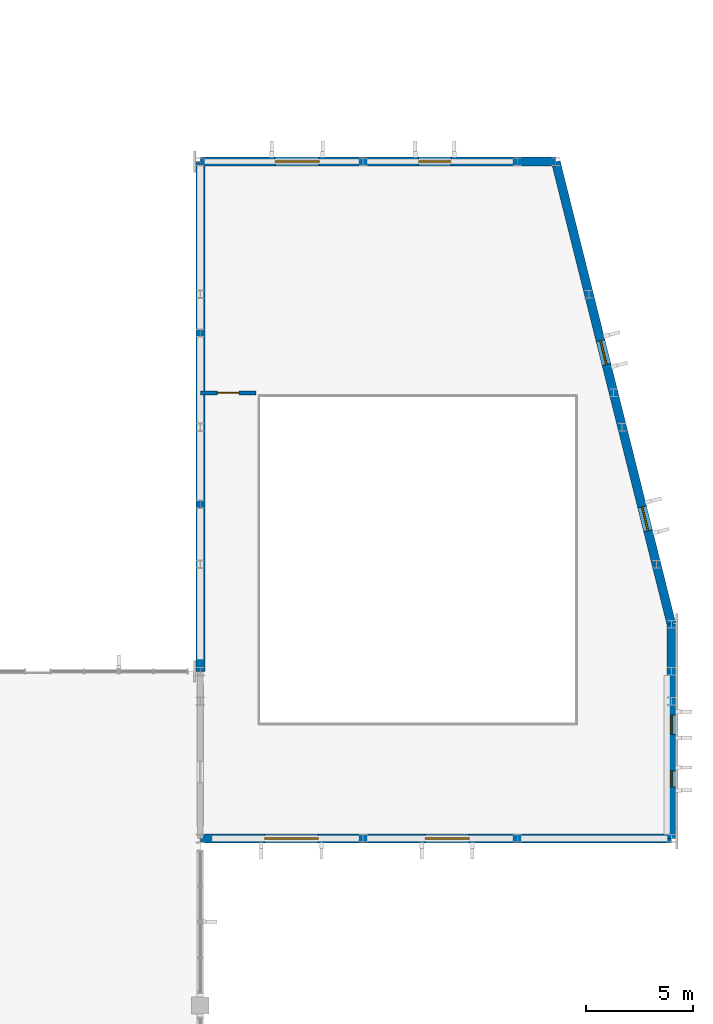
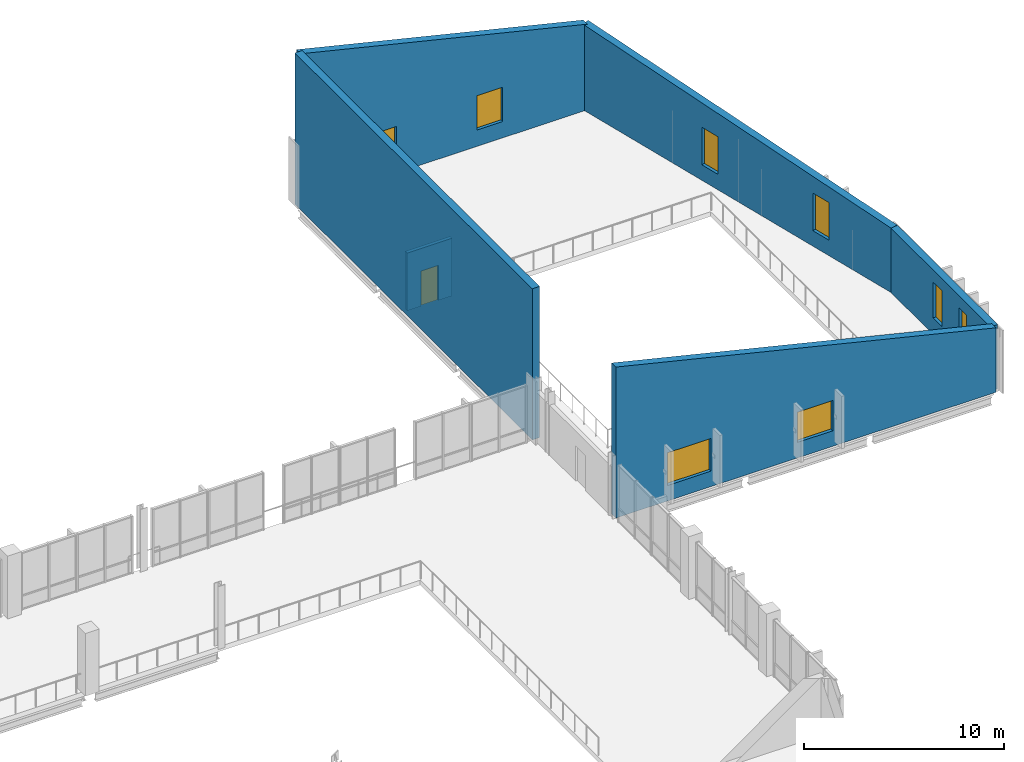
# One storey, part 46 of 64: 8 windows, 6 walls, 1 door, 9 openings.
"""IFC4 building model written with IfcOpenShell, lengths in metres."""

import ifcopenshell
import ifcopenshell.guid

model = None  # the IFC model being written
_history = None  # IfcOwnerHistory: only IFC2X3 demands one
_inside = {}  # id of a spatial element -> (the spatial element, [elements in it])
_under = {}  # id of a project, library or spatial element -> (it, [spatial elements below it])
_declared = {}  # id of a project -> (the project, [libraries it declares])
_typed = {}  # id of a type object -> (the type object, [elements of that type])
_made_of = {}  # id of a material, layer set ... -> (it, [elements and type objects made of it])


def new_model(schema):
    """Start an empty IFC model of exactly this schema.

    Asked for "IFC4X3", IfcOpenShell would pick the latest addendum, in which some entities
    have other attributes; the version numbers below select the first issue.
    IFC2X3 requires an IfcOwnerHistory on every rooted entity: one is made here for all.
    """
    global model, _history
    if schema == "IFC4X3":
        model = ifcopenshell.file(schema_version=(4, 3, 0, 0))
    else:
        model = ifcopenshell.file(schema=schema)
    _inside.clear()
    _under.clear()
    _declared.clear()
    _typed.clear()
    _made_of.clear()
    _history = None
    if model.schema == "IFC2X3":
        org = make("IfcOrganization", Name="unknown")
        user = make(
            "IfcPersonAndOrganization",
            ThePerson=make("IfcPerson", FamilyName="unknown"),
            TheOrganization=org,
        )
        app = make(
            "IfcApplication",
            ApplicationDeveloper=org,
            Version="unknown",
            ApplicationFullName="unknown",
            ApplicationIdentifier="unknown",
        )
        _history = make(
            "IfcOwnerHistory",
            OwningUser=user,
            OwningApplication=app,
            ChangeAction="ADDED",
            CreationDate=0,
        )
    return model


def make(cls, **values):
    """One entity of the class cls with the attributes given. An attribute that is None is left unset."""
    return model.create_entity(
        cls, **{name: value for name, value in values.items() if value is not None}
    )


def rooted(cls, **values):
    """An entity with a GlobalId (a new one), such as an element, a storey or a relation."""
    return make(cls, GlobalId=ifcopenshell.guid.new(), OwnerHistory=_history, **values)


def si_unit(unit_type, name, prefix=None):
    """IfcSIUnit, for example si_unit("LENGTHUNIT", "METRE", prefix="MILLI")."""
    return make("IfcSIUnit", UnitType=unit_type, Prefix=prefix, Name=name)


def assignment(units):
    """IfcUnitAssignment: the units of a project."""
    return None if units is None else make("IfcUnitAssignment", Units=units)


def point(xyz):
    """IfcCartesianPoint."""
    return None if xyz is None else make("IfcCartesianPoint", Coordinates=xyz)


def direction(xyz):
    """IfcDirection."""
    return None if xyz is None else make("IfcDirection", DirectionRatios=xyz)


def frame(location, z_axis=None, x_axis=None):
    """IfcAxis2Placement3D, a coordinate frame: its origin and axes. An axis left out is left unset."""
    return make(
        "IfcAxis2Placement3D",
        Location=point(location),
        Axis=direction(z_axis),
        RefDirection=direction(x_axis),
    )


def frame_2d(location, x_axis=None):
    """IfcAxis2Placement2D, a coordinate frame in the plane: its origin and x axis."""
    return make(
        "IfcAxis2Placement2D", Location=point(location), RefDirection=direction(x_axis)
    )


def origin():
    """The frame at (0, 0, 0) with its axes left unset."""
    return frame((0.0, 0.0, 0.0))


def place(relative_to, where):
    """IfcLocalPlacement: puts the frame where relative to a parent placement (None: the world)."""
    return make(
        "IfcLocalPlacement", PlacementRelTo=relative_to, RelativePlacement=where
    )


def context(
    kind, dimensions, precision=None, world=None, true_north=None, identifier=None
):
    """IfcGeometricRepresentationContext, for example the 3D "Model" context."""
    return make(
        "IfcGeometricRepresentationContext",
        ContextIdentifier=identifier,
        ContextType=kind,
        CoordinateSpaceDimension=dimensions,
        Precision=precision,
        WorldCoordinateSystem=world,
        TrueNorth=true_north,
    )


def subcontext(parent, identifier, kind, view, scale=None):
    """IfcGeometricRepresentationSubContext, for example "Body" below "Model"."""
    return make(
        "IfcGeometricRepresentationSubContext",
        ContextIdentifier=identifier,
        ContextType=kind,
        ParentContext=parent,
        TargetScale=scale,
        TargetView=view,
    )


def project(units=None, contexts=None):
    """IfcProject with its units and contexts."""
    return rooted(
        "IfcProject",
        Name="project",
        RepresentationContexts=contexts,
        UnitsInContext=assignment(units),
    )


def spatial(cls, under=None, at=None, **own):
    """A site, building, storey or space (cls), placed at a placement, below another one or the project."""
    s = rooted(cls, ObjectPlacement=at, **own)
    if under is not None:
        _under.setdefault(under.id(), (under, []))[1].append(s)
    return s


def polyline(points):
    """IfcPolyline through the points."""
    return make("IfcPolyline", Points=[point(p) for p in points])


def profile(cls, at=None, kind="AREA", **sizes):
    """A parametric profile (cls). Its sizes go by their IFC names, for example OverallWidth=200.0."""
    return make(cls, ProfileType=kind, Position=at, **sizes)


def rectangle(**sizes):
    """IfcRectangleProfileDef."""
    return profile("IfcRectangleProfileDef", **sizes)


def outline(outer, holes=None, kind="AREA"):
    """IfcArbitraryClosedProfileDef: a profile drawn as a closed curve; with holes, ...WithVoids."""
    if holes is None:
        return make("IfcArbitraryClosedProfileDef", ProfileType=kind, OuterCurve=outer)
    return make(
        "IfcArbitraryProfileDefWithVoids",
        ProfileType=kind,
        OuterCurve=outer,
        InnerCurves=holes,
    )


def extrude(swept, where, along, depth):
    """IfcExtrudedAreaSolid: the profile swept, set in the frame where, extruded along a direction by depth."""
    return make(
        "IfcExtrudedAreaSolid",
        SweptArea=swept,
        Position=where,
        ExtrudedDirection=direction(along),
        Depth=depth,
    )


def shape(context_of_items, identifier, shape_type, items):
    """IfcShapeRepresentation: the items that make up one representation, for example the "Body"."""
    return make(
        "IfcShapeRepresentation",
        ContextOfItems=context_of_items,
        RepresentationIdentifier=identifier,
        RepresentationType=shape_type,
        Items=items,
    )


def material(Name=None, Category=None):
    """IfcMaterial."""
    return make("IfcMaterial", Name=Name, Category=Category)


def layer(
    of_material, thickness, ventilated=None, Name=None, Category=None, Priority=None
):
    """IfcMaterialLayer: one layer of a wall or slab, of a material (None: an air gap)."""
    return make(
        "IfcMaterialLayer",
        Material=of_material,
        LayerThickness=thickness,
        IsVentilated=ventilated,
        Name=Name,
        Category=Category,
        Priority=Priority,
    )


def layer_set(layers, Name=None):
    """IfcMaterialLayerSet."""
    return make("IfcMaterialLayerSet", MaterialLayers=layers, LayerSetName=Name)


def made_of(thing, what):
    """Note that an element or type object is made of a material, layer set ...; save() writes the relation."""
    if what is not None:
        _made_of.setdefault(what.id(), (what, []))[1].append(thing)
    return thing


def type_object(cls, material=None, **own):
    """A type object (cls), such as IfcWallType, which elements share."""
    return made_of(rooted(cls, **own), material)


def element(
    cls,
    number,
    at=None,
    inside=None,
    cuts=None,
    type_object=None,
    material=None,
    context=None,
    identifier="Body",
    shape_type=None,
    held_by="IfcProductDefinitionShape",
    body=None,
    shapes=None,
    **own,
):
    """One element of the class cls, such as IfcWall. Its Tag is "e" and its number.

    at: its placement. inside: the storey or other place that contains it. cuts: it is an
    opening in that element (IfcRelVoidsElement). A single representation is given by context,
    identifier, shape_type and body (its items); several are given by shapes. held_by: the class
    of the entity that holds the representations. save() writes the other relations.
    """
    e = rooted(cls, Tag="e%d" % number, ObjectPlacement=at, **own)
    if body is not None:
        shapes = [shape(context, identifier, shape_type, body)]
    if shapes is not None:
        e.Representation = make(held_by, Representations=shapes)
    if inside is not None:
        _inside.setdefault(inside.id(), (inside, []))[1].append(e)
    if cuts is not None:
        rooted(
            "IfcRelVoidsElement", RelatingBuildingElement=cuts, RelatedOpeningElement=e
        )
    if type_object is not None:
        _typed.setdefault(type_object.id(), (type_object, []))[1].append(e)
    return made_of(e, material)


def fill(opening, filler):
    """IfcRelFillsElement: the door or window that sits in an opening."""
    return rooted(
        "IfcRelFillsElement",
        RelatingOpeningElement=opening,
        RelatedBuildingElement=filler,
    )


def aggregate(whole, parts):
    """IfcRelAggregates: a whole, such as a stair, and the parts it consists of."""
    return rooted("IfcRelAggregates", RelatingObject=whole, RelatedObjects=parts)


def save(model, path):
    """Write the relations noted so far, then the file.

    IfcRelAggregates (storeys below a building ...), IfcRelContainedInSpatialStructure (elements
    in a storey), IfcRelDefinesByType, IfcRelAssociatesMaterial and IfcRelDeclares: one each for
    every whole, place, type object, material and project.
    """
    for whole, parts in _under.values():
        aggregate(whole, parts)
    for where, things in _inside.values():
        rooted(
            "IfcRelContainedInSpatialStructure",
            RelatedElements=things,
            RelatingStructure=where,
        )
    for kind, things in _typed.values():
        rooted("IfcRelDefinesByType", RelatedObjects=things, RelatingType=kind)
    for what, things in _made_of.values():
        rooted("IfcRelAssociatesMaterial", RelatedObjects=things, RelatingMaterial=what)
    for by, libraries in _declared.values():
        rooted("IfcRelDeclares", RelatingContext=by, RelatedDefinitions=libraries)
    model.write(path)


model = new_model("IFC4")

# Units and contexts
model_context = context("Model", 3, precision=1e-05, world=origin(), true_north=direction((0.0, 1.0)))
body_context = subcontext(model_context, "Body", "Model", "MODEL_VIEW")
ifc_project = project(units=[si_unit("LENGTHUNIT", "METRE"), si_unit("AREAUNIT", "SQUARE_METRE"), si_unit("VOLUMEUNIT", "CUBIC_METRE"), si_unit("PLANEANGLEUNIT", "RADIAN"), si_unit("MASSUNIT", "GRAM", prefix="KILO")], contexts=[model_context])

# Site, building, storey
site_placement = place(None, origin())
site = spatial("IfcSite", under=ifc_project, at=site_placement, CompositionType="ELEMENT")
building_placement = place(site_placement, origin())
building = spatial("IfcBuilding", under=site, at=building_placement, Name="Vervanel Yard Central Library", CompositionType="ELEMENT")
storey_placement = place(building_placement, frame((0.0, 0.0, 8.93994140625)))
storey = spatial("IfcBuildingStorey", under=building, at=storey_placement, Name="L02", CompositionType="ELEMENT", Elevation=8.93994140625)

# Wall, openings, windows
ifc_material_1 = material(Name="Concrete C45/55", Category="concrete")
ifc_layer_1 = layer(ifc_material_1, 0.419921875, Category="concrete")
ifc_layer_set_1 = layer_set([ifc_layer_1], Name="Concrete C45/55")
wall_type_1 = type_object("IfcWallType", Name="Auditorium Acoustic Shell Exterior Wall 420", PredefinedType="SOLIDWALL", material=ifc_layer_set_1)
wall_1_placement = place(storey_placement, frame((146.0, 74.39990234375, 0.0), z_axis=(0.0, 0.0, 1.0), x_axis=(1.0, 0.0, 0.0)))
wall_1 = element("IfcWall", 1, at=wall_1_placement, inside=storey, type_object=wall_type_1, Name="L02 Auditorium Acoustic Shell Exterior Wall 420 EWALL-L02-0186", PredefinedType="SOLIDWALL", context=body_context, shape_type="SweptSolid", body=[
    extrude(outline(polyline([(0.0, 0.0), (22.0, 0.0), (22.0, 3.93994140625), (0.0, 9.239990234375), (0.0, 0.0)])), frame((0.0, 0.2099609375, 0.0), z_axis=(0.0, -1.0, 0.0), x_axis=(1.0, 0.0, 0.0)), (0.0, 0.0, 1.0), 0.419921875),
])
opening_1_placement = place(wall_1_placement, frame((3.0, 0.0, 0.949951171875)))
opening_1 = element("IfcOpeningElement", 2, at=opening_1_placement, cuts=wall_1, Name="Opening WN-14", PredefinedType="OPENING", context=body_context, shape_type="SweptSolid", body=[
    extrude(rectangle(XDim=2.5, YDim=2.0, at=frame_2d((1.25, 1.0))), frame((0.0, 0.219970703125, 0.0), z_axis=(0.0, -1.0, 0.0), x_axis=(1.0, 0.0, 0.0)), (0.0, 0.0, 1.0), 0.43994140625),
])
opening_2_placement = place(wall_1_placement, frame((10.5, 0.0, 0.949951171875)))
opening_2 = element("IfcOpeningElement", 3, at=opening_2_placement, cuts=wall_1, Name="Opening WN-26", PredefinedType="OPENING", context=body_context, shape_type="SweptSolid", body=[
    extrude(rectangle(XDim=2.050048828125, YDim=1.85009765625, at=frame_2d((1.02490234375, 0.925048828125))), frame((0.0, 0.219970703125, 0.0), z_axis=(0.0, -1.0, 0.0), x_axis=(1.0, 0.0, 0.0)), (0.0, 0.0, 1.0), 0.43994140625),
])
ifc_material_2 = material(Name="Double low-E laminated solar-control glass", Category="glass")
window_type_1 = type_object("IfcWindowType", Name="Boardroom Acoustic Window 2500x2000", PartitioningType="SINGLE_PANEL", PredefinedType="WINDOW", material=ifc_material_2)
window_1_placement = place(opening_1_placement, origin())
window_1 = element("IfcWindow", 4, at=window_1_placement, inside=storey, type_object=window_type_1, Name="L02 Boardroom Acoustic Window 2500x2000 233", OverallHeight=2.0, OverallWidth=2.5, PartitioningType="SINGLE_PANEL", PredefinedType="WINDOW", context=body_context, shape_type="SweptSolid", body=[
    extrude(rectangle(XDim=2.5, YDim=2.0, at=frame_2d((1.25, 1.0))), frame((0.0, 0.030029296875, 0.0), z_axis=(0.0, -1.0, 0.0), x_axis=(1.0, 0.0, 0.0)), (0.0, 0.0, 1.0), 0.06005859375),
])
fill(opening_1, window_1)
window_type_2 = type_object("IfcWindowType", Name="Seminar Acoustic Window 2050x1850", PartitioningType="SINGLE_PANEL", PredefinedType="WINDOW", material=ifc_material_2)
window_2_placement = place(opening_2_placement, origin())
window_2 = element("IfcWindow", 5, at=window_2_placement, inside=storey, type_object=window_type_2, Name="L02 Seminar Acoustic Window 2050x1850 234", OverallHeight=1.85009765625, OverallWidth=2.050048828125, PartitioningType="SINGLE_PANEL", PredefinedType="WINDOW", context=body_context, shape_type="SweptSolid", body=[
    extrude(rectangle(XDim=2.050048828125, YDim=1.85009765625, at=frame_2d((1.02490234375, 0.925048828125))), frame((0.0, 0.030029296875, 0.0), z_axis=(0.0, -1.0, 0.0), x_axis=(1.0, 0.0, 0.0)), (0.0, 0.0, 1.0), 0.06005859375),
])
fill(opening_2, window_2)

wall_2_placement = place(storey_placement, frame((168.0, 74.39990234375, 0.0), z_axis=(0.0, 0.0, 1.0), x_axis=(0.0, 1.0, 0.0)))
wall_2 = element("IfcWall", 6, at=wall_2_placement, inside=storey, type_object=wall_type_1, Name="L02 Auditorium Acoustic Shell Exterior Wall 420 EWALL-L02-0187", PredefinedType="SOLIDWALL", context=body_context, shape_type="SweptSolid", body=[
    extrude(rectangle(XDim=10.0, YDim=0.419921875, at=frame_2d((5.0, 0.0))), origin(), (0.0, 0.0, 1.0), 3.93994140625),
])
opening_3_placement = place(wall_2_placement, frame((2.39990234375, 0.0, 1.0)))
opening_3 = element("IfcOpeningElement", 7, at=opening_3_placement, cuts=wall_2, Name="Opening WN-04", PredefinedType="OPENING", context=body_context, shape_type="SweptSolid", body=[
    extrude(rectangle(XDim=0.75, YDim=2.199951171875, at=frame_2d((0.375, 1.10009765625))), frame((0.0, 0.219970703125, 0.0), z_axis=(0.0, -1.0, 0.0), x_axis=(1.0, 0.0, 0.0)), (0.0, 0.0, 1.0), 0.43994140625),
])
opening_4_placement = place(wall_2_placement, frame((4.85009765625, 0.0, 1.0)))
opening_4 = element("IfcOpeningElement", 8, at=opening_4_placement, cuts=wall_2, Name="Opening WN-05", PredefinedType="OPENING", context=body_context, shape_type="SweptSolid", body=[
    extrude(rectangle(XDim=0.89990234375, YDim=2.199951171875, at=frame_2d((0.449951171875, 1.10009765625))), frame((0.0, 0.219970703125, 0.0), z_axis=(0.0, -1.0, 0.0), x_axis=(1.0, 0.0, 0.0)), (0.0, 0.0, 1.0), 0.43994140625),
])
window_type_3 = type_object("IfcWindowType", Name="Stack Deep-Reveal Window 900x2200", PartitioningType="SINGLE_PANEL", PredefinedType="WINDOW", material=ifc_material_2)
window_3_placement = place(opening_4_placement, origin())
window_3 = element("IfcWindow", 9, at=window_3_placement, inside=storey, type_object=window_type_3, Name="L02 Stack Deep-Reveal Window 900x2200 236", OverallHeight=2.199951171875, OverallWidth=0.89990234375, PartitioningType="SINGLE_PANEL", PredefinedType="WINDOW", context=body_context, shape_type="SweptSolid", body=[
    extrude(rectangle(XDim=0.89990234375, YDim=2.199951171875, at=frame_2d((0.449951171875, 1.10009765625))), frame((0.0, 0.030029296875, 0.0), z_axis=(0.0, -1.0, 0.0), x_axis=(1.0, 0.0, 0.0)), (0.0, 0.0, 1.0), 0.06005859375),
])
fill(opening_4, window_3)
window_type_4 = type_object("IfcWindowType", Name="Stack Narrow UV-Filtered Window 750x2200", PartitioningType="SINGLE_PANEL", PredefinedType="WINDOW", material=ifc_material_2)
window_4_placement = place(opening_3_placement, origin())
window_4 = element("IfcWindow", 10, at=window_4_placement, inside=storey, type_object=window_type_4, Name="L02 Stack Narrow UV-Filtered Window 750x2200 235", OverallHeight=2.199951171875, OverallWidth=0.75, PartitioningType="SINGLE_PANEL", PredefinedType="WINDOW", context=body_context, shape_type="SweptSolid", body=[
    extrude(rectangle(XDim=0.75, YDim=2.199951171875, at=frame_2d((0.375, 1.10009765625))), frame((0.0, 0.030029296875, 0.0), z_axis=(0.0, -1.0, 0.0), x_axis=(1.0, 0.0, 0.0)), (0.0, 0.0, 1.0), 0.06005859375),
])
fill(opening_3, window_4)

wall_3_placement = place(storey_placement, frame((168.0, 84.39990234375, 0.0), z_axis=(0.0, 0.0, 1.0), x_axis=(-0.242530464893, 0.970143790167, 0.0)))
wall_3 = element("IfcWall", 11, at=wall_3_placement, inside=storey, type_object=wall_type_1, Name="L02 Auditorium Acoustic Shell Exterior Wall 420 EWALL-L02-0188", PredefinedType="SOLIDWALL", context=body_context, shape_type="SweptSolid", body=[
    extrude(outline(polyline([(0.0, 0.0), (22.264892578125, 0.0), (22.264892578125, 5.240966796875), (0.0, 3.93994140625), (0.0, 0.0)])), frame((0.0, 0.2099609375, 0.0), z_axis=(0.0, -1.0, 0.0), x_axis=(1.0, 0.0, 0.0)), (0.0, 0.0, 1.0), 0.419921875),
])
opening_5_placement = place(wall_3_placement, frame((4.5, 0.0, 0.949951171875)))
opening_5 = element("IfcOpeningElement", 12, at=opening_5_placement, cuts=wall_3, Name="Opening WN-19", PredefinedType="OPENING", context=body_context, shape_type="SweptSolid", body=[
    extrude(rectangle(XDim=1.14990234375, YDim=2.300048828125, at=frame_2d((0.574951171875, 1.14990234375))), frame((0.0, 0.219970703125, 0.0), z_axis=(0.0, -1.0, 0.0), x_axis=(1.0, 0.0, 0.0)), (0.0, 0.0, 1.0), 0.43994140625),
])
opening_6_placement = place(wall_3_placement, frame((12.5, 0.0, 0.949951171875)))
opening_6 = element("IfcOpeningElement", 13, at=opening_6_placement, cuts=wall_3, Name="Opening WN-19", PredefinedType="OPENING", context=body_context, shape_type="SweptSolid", body=[
    extrude(rectangle(XDim=1.14990234375, YDim=2.300048828125, at=frame_2d((0.574951171875, 1.14990234375))), frame((0.0, 0.219970703125, 0.0), z_axis=(0.0, -1.0, 0.0), x_axis=(1.0, 0.0, 0.0)), (0.0, 0.0, 1.0), 0.43994140625),
])
window_type_5 = type_object("IfcWindowType", Name="Reading Tall Slot Window 1150x2300", PartitioningType="SINGLE_PANEL", PredefinedType="WINDOW", material=ifc_material_2)
window_5_placement = place(opening_5_placement, origin())
window_5 = element("IfcWindow", 14, at=window_5_placement, inside=storey, type_object=window_type_5, Name="L02 Reading Tall Slot Window 1150x2300 237", OverallHeight=2.300048828125, OverallWidth=1.14990234375, PartitioningType="SINGLE_PANEL", PredefinedType="WINDOW", context=body_context, shape_type="SweptSolid", body=[
    extrude(rectangle(XDim=1.14990234375, YDim=2.300048828125, at=frame_2d((0.574951171875, 1.14990234375))), frame((0.0, 0.030029296875, 0.0), z_axis=(0.0, -1.0, 0.0), x_axis=(1.0, 0.0, 0.0)), (0.0, 0.0, 1.0), 0.06005859375),
])
fill(opening_5, window_5)
window_6_placement = place(opening_6_placement, origin())
window_6 = element("IfcWindow", 15, at=window_6_placement, inside=storey, type_object=window_type_5, Name="L02 Reading Tall Slot Window 1150x2300 238", OverallHeight=2.300048828125, OverallWidth=1.14990234375, PartitioningType="SINGLE_PANEL", PredefinedType="WINDOW", context=body_context, shape_type="SweptSolid", body=[
    extrude(rectangle(XDim=1.14990234375, YDim=2.300048828125, at=frame_2d((0.574951171875, 1.14990234375))), frame((0.0, 0.030029296875, 0.0), z_axis=(0.0, -1.0, 0.0), x_axis=(1.0, 0.0, 0.0)), (0.0, 0.0, 1.0), 0.06005859375),
])
fill(opening_6, window_6)

wall_4_placement = place(storey_placement, frame((146.0, 106.0, 0.0), z_axis=(0.0, 0.0, 1.0), x_axis=(1.0, 0.0, 0.0)))
wall_4 = element("IfcWall", 16, at=wall_4_placement, inside=storey, type_object=wall_type_1, Name="L02 Auditorium Acoustic Shell Exterior Wall 420 EWALL-L02-0189", PredefinedType="SOLIDWALL", context=body_context, shape_type="SweptSolid", body=[
    extrude(outline(polyline([(0.0, 0.0), (16.60009765625, 0.0), (16.60009765625, 5.240966796875), (0.0, 9.239990234375), (0.0, 0.0)])), frame((0.0, 0.2099609375, 0.0), z_axis=(0.0, -1.0, 0.0), x_axis=(1.0, 0.0, 0.0)), (0.0, 0.0, 1.0), 0.419921875),
])
opening_7_placement = place(wall_4_placement, frame((3.5, 0.0, 1.0)))
opening_7 = element("IfcOpeningElement", 17, at=opening_7_placement, cuts=wall_4, Name="Opening WN-26", PredefinedType="OPENING", context=body_context, shape_type="SweptSolid", body=[
    extrude(rectangle(XDim=2.050048828125, YDim=1.85009765625, at=frame_2d((1.02490234375, 0.925048828125))), frame((0.0, 0.219970703125, 0.0), z_axis=(0.0, -1.0, 0.0), x_axis=(1.0, 0.0, 0.0)), (0.0, 0.0, 1.0), 0.43994140625),
])
opening_8_placement = place(wall_4_placement, frame((10.199951171875, 0.0, 1.0)))
opening_8 = element("IfcOpeningElement", 18, at=opening_8_placement, cuts=wall_4, Name="Opening WN-02", PredefinedType="OPENING", context=body_context, shape_type="SweptSolid", body=[
    extrude(rectangle(XDim=1.5, YDim=2.10009765625, at=frame_2d((0.75, 1.050048828125))), frame((0.0, 0.219970703125, 0.0), z_axis=(0.0, -1.0, 0.0), x_axis=(1.0, 0.0, 0.0)), (0.0, 0.0, 1.0), 0.43994140625),
])
window_type_6 = type_object("IfcWindowType", Name="Reading Bay Window 1500x2100", PartitioningType="SINGLE_PANEL", PredefinedType="WINDOW", material=ifc_material_2)
window_7_placement = place(opening_8_placement, origin())
window_7 = element("IfcWindow", 19, at=window_7_placement, inside=storey, type_object=window_type_6, Name="L02 Reading Bay Window 1500x2100 240", OverallHeight=2.10009765625, OverallWidth=1.5, PartitioningType="SINGLE_PANEL", PredefinedType="WINDOW", context=body_context, shape_type="SweptSolid", body=[
    extrude(rectangle(XDim=1.5, YDim=2.10009765625, at=frame_2d((0.75, 1.050048828125))), frame((0.0, 0.030029296875, 0.0), z_axis=(0.0, -1.0, 0.0), x_axis=(1.0, 0.0, 0.0)), (0.0, 0.0, 1.0), 0.06005859375),
])
fill(opening_8, window_7)
window_8_placement = place(opening_7_placement, origin())
window_8 = element("IfcWindow", 20, at=window_8_placement, inside=storey, type_object=window_type_2, Name="L02 Seminar Acoustic Window 2050x1850 239", OverallHeight=1.85009765625, OverallWidth=2.050048828125, PartitioningType="SINGLE_PANEL", PredefinedType="WINDOW", context=body_context, shape_type="SweptSolid", body=[
    extrude(rectangle(XDim=2.050048828125, YDim=1.85009765625, at=frame_2d((1.02490234375, 0.925048828125))), frame((0.0, 0.030029296875, 0.0), z_axis=(0.0, -1.0, 0.0), x_axis=(1.0, 0.0, 0.0)), (0.0, 0.0, 1.0), 0.06005859375),
])
fill(opening_7, window_8)

# Wall
wall_5_placement = place(storey_placement, frame((146.0, 82.199951171875, 0.0), z_axis=(0.0, 0.0, 1.0), x_axis=(0.0, 1.0, 0.0)))
element("IfcWall", 21, at=wall_5_placement, inside=storey, type_object=wall_type_1, Name="L02 Auditorium Acoustic Shell Exterior Wall 420 EWALL-L02-0191", PredefinedType="SOLIDWALL", context=body_context, shape_type="SweptSolid", body=[
    extrude(rectangle(XDim=23.800048828125, YDim=0.419921875, at=frame_2d((11.89990234375, 0.0))), origin(), (0.0, 0.0, 1.0), 9.239990234375),
])

# Wall, opening, door
ifc_material_3 = material(Name="Concrete C40/50", Category="concrete")
ifc_layer_2 = layer(ifc_material_3, 0.199951171875, Category="concrete")
ifc_layer_set_2 = layer_set([ifc_layer_2], Name="Concrete C40/50")
wall_type_2 = type_object("IfcWallType", Name="Shaft & Plant Rated Wall 200", PredefinedType="PARTITIONING", material=ifc_layer_set_2)
wall_6_placement = place(storey_placement, frame((146.0, 95.199951171875, 0.0), z_axis=(0.0, 0.0, 1.0), x_axis=(1.0, 0.0, 0.0)))
wall_6 = element("IfcWall", 22, at=wall_6_placement, inside=storey, type_object=wall_type_2, Name="L02 Shaft & Plant Rated Wall 200 IPART-RC2-L02-402S", PredefinedType="PARTITIONING", context=body_context, shape_type="SweptSolid", body=[
    extrude(rectangle(XDim=2.60009765625, YDim=0.199951171875, at=frame_2d((1.300048828125, 0.0))), origin(), (0.0, 0.0, 1.0), 3.530029296875),
])
opening_9_placement = place(wall_6_placement, frame((0.800048828125, 0.0, 0.0)))
opening_9 = element("IfcOpeningElement", 23, at=opening_9_placement, cuts=wall_6, Name="Opening DR-01", PredefinedType="OPENING", context=body_context, shape_type="SweptSolid", body=[
    extrude(rectangle(XDim=1.0, YDim=2.14990234375, at=frame_2d((0.5, 1.074951171875))), frame((0.0, 0.10986328125, 0.0), z_axis=(0.0, -1.0, 0.0), x_axis=(1.0, 0.0, 0.0)), (0.0, 0.0, 1.0), 0.219970703125),
])
ifc_material_4 = material(Name="Solid white oak acoustic joinery", Category="wood")
door_type = type_object("IfcDoorType", Name="Interior Single Door 1000x2150", OperationType="NOTDEFINED", PredefinedType="DOOR", material=ifc_material_4)
door_placement = place(opening_9_placement, origin())
door = element("IfcDoor", 24, at=door_placement, inside=storey, type_object=door_type, Name="L02 Interior Single Door 1000x2150 IDOOR-IPART-RC2-L02-402S-1", OperationType="SINGLE_SWING_LEFT", OverallHeight=2.14990234375, OverallWidth=1.0, PredefinedType="DOOR", context=body_context, shape_type="SweptSolid", body=[
    extrude(rectangle(XDim=1.0, YDim=2.14990234375, at=frame_2d((0.5, 1.074951171875))), frame((0.0, 0.02490234375, 0.0), z_axis=(0.0, -1.0, 0.0), x_axis=(1.0, 0.0, 0.0)), (0.0, 0.0, 1.0), 0.050048828125),
])
fill(opening_9, door)

save(model, "model.ifc")
